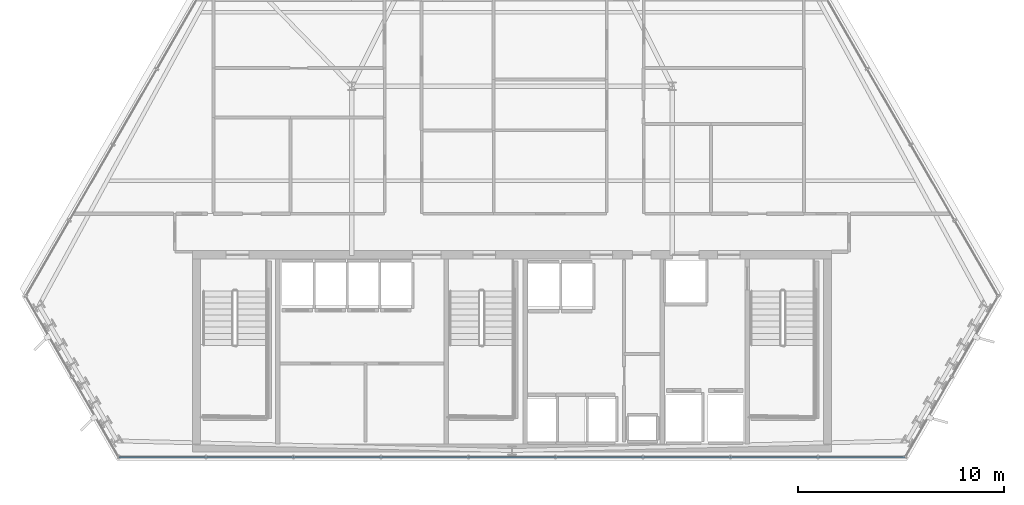
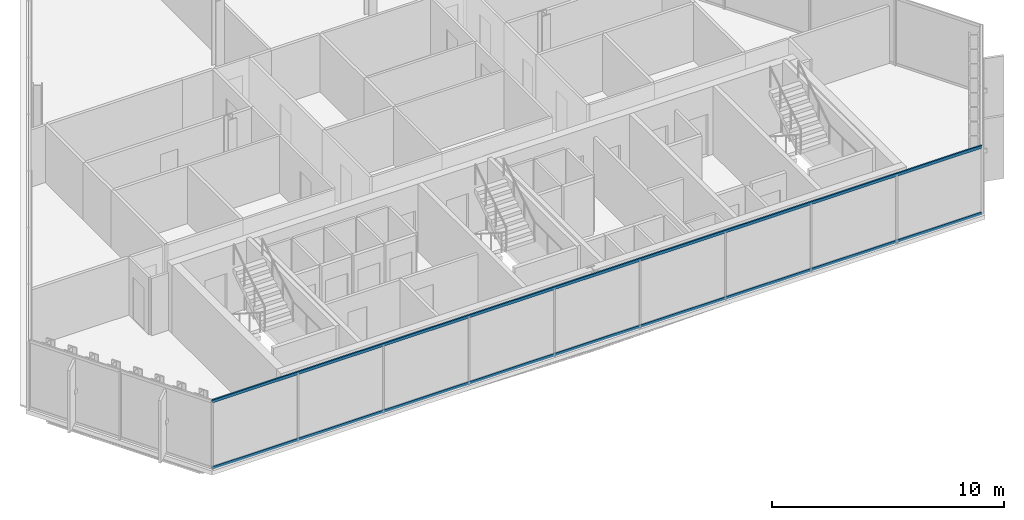
# One storey, part 7 of 34: 2 members, 1 element without a shape of its own.
"""IFC4 building model written with IfcOpenShell, lengths in metres."""

from ifc_helpers import new_model, si_unit, direction, frame, origin, origin_2d, place, context, subcontext, project, spatial, hollow_rectangle, extrude, material, layer, layer_set, material_profile, profile_set, type_object, element, aggregate, save


model = new_model("IFC4")

# Units and contexts
model_context = context("Model", 3, precision=1e-05, world=origin(), true_north=direction((0.0, 1.0)))
body_context = subcontext(model_context, "Body", "Model", "MODEL_VIEW")
ifc_project = project(units=[si_unit("LENGTHUNIT", "METRE"), si_unit("AREAUNIT", "SQUARE_METRE"), si_unit("VOLUMEUNIT", "CUBIC_METRE"), si_unit("PLANEANGLEUNIT", "RADIAN"), si_unit("MASSUNIT", "GRAM", prefix="KILO")], contexts=[model_context])

# Site, building, storey
site_placement = place(None, origin())
site = spatial("IfcSite", under=ifc_project, at=site_placement, CompositionType="ELEMENT")
building_placement = place(site_placement, origin())
building = spatial("IfcBuilding", under=site, at=building_placement, Name="Ndaravel Arena Tower", CompositionType="ELEMENT")
storey_placement = place(building_placement, frame((0.0, 0.0, 191.60009765625)))
storey = spatial("IfcBuildingStorey", under=building, at=storey_placement, Name="L46", CompositionType="ELEMENT", Elevation=191.60009765625)

# Curtain wall, members
ifc_material_1 = material(Name="Aluminium", Category="aluminium")
ifc_layer = layer(ifc_material_1, 0.179931640625)
ifc_layer_set = layer_set([ifc_layer], Name="Aluminium")
curtain_wall_type = type_object("IfcCurtainWallType", Name="CW-SYS-03", PredefinedType="NOTDEFINED", material=ifc_layer_set)
curtain_wall_placement = place(storey_placement, origin())
curtain_wall = element("IfcCurtainWall", 1, at=curtain_wall_placement, inside=storey, type_object=curtain_wall_type, Name="L46 Faceted Crystal Curtain Wall CW-L46-E01", PredefinedType="NOTDEFINED")
ifc_material_2 = material(Name="Aluminium", Category="aluminium")
ifc_material_profile = material_profile(ifc_material_2, hollow_rectangle(XDim=0.074951171875, YDim=0.14990234375, WallThickness=0.00390625, at=origin_2d()), Name="CW TRANSOM 75x150x4")
ifc_profile_set = profile_set([ifc_material_profile], Name="Aluminium")
member_type = type_object("IfcMemberType", Name="MEM-CW-TRN150", PredefinedType="USERDEFINED", material=ifc_profile_set)
member_1_placement = place(storey_placement, frame((22.871337890625, 5.159912109375, 0.039794921875), z_axis=(1.0, 0.0, 0.0), x_axis=(0.0, 1.0, 0.0)))
member_1 = element("IfcMember", 2, at=member_1_placement, type_object=member_type, Name="CW-L46-E01 Transom 01", ObjectType="TRANSOM", PredefinedType="USERDEFINED", context=body_context, shape_type="SweptSolid", body=[
    extrude(hollow_rectangle(XDim=0.074951171875, YDim=0.14990234375, WallThickness=0.00390625, at=origin_2d()), origin(), (0.0, 0.0, 1.0), 38.25732421875),
])
member_2_placement = place(storey_placement, frame((22.871337890625, 5.159912109375, 3.539794921875), z_axis=(1.0, 0.0, 0.0), x_axis=(0.0, 1.0, 0.0)))
member_2 = element("IfcMember", 3, at=member_2_placement, type_object=member_type, Name="CW-L46-E01 Transom 02", ObjectType="TRANSOM", PredefinedType="USERDEFINED", context=body_context, shape_type="SweptSolid", body=[
    extrude(hollow_rectangle(XDim=0.074951171875, YDim=0.14990234375, WallThickness=0.00390625, at=origin_2d()), origin(), (0.0, 0.0, 1.0), 38.25732421875),
])
aggregate(curtain_wall, [member_1, member_2])

save(model, "model.ifc")
